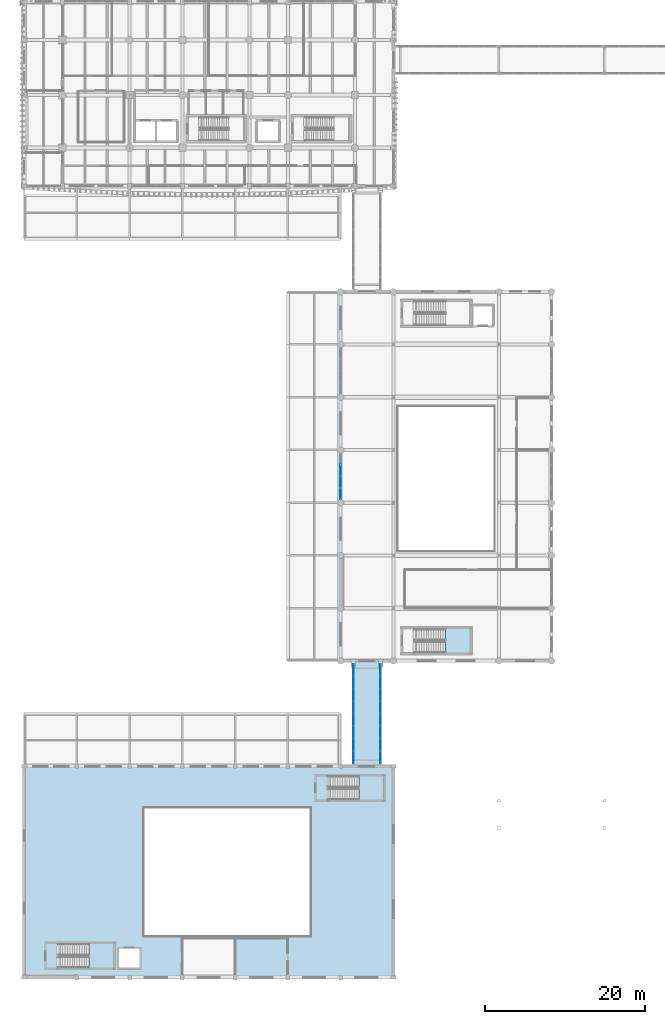
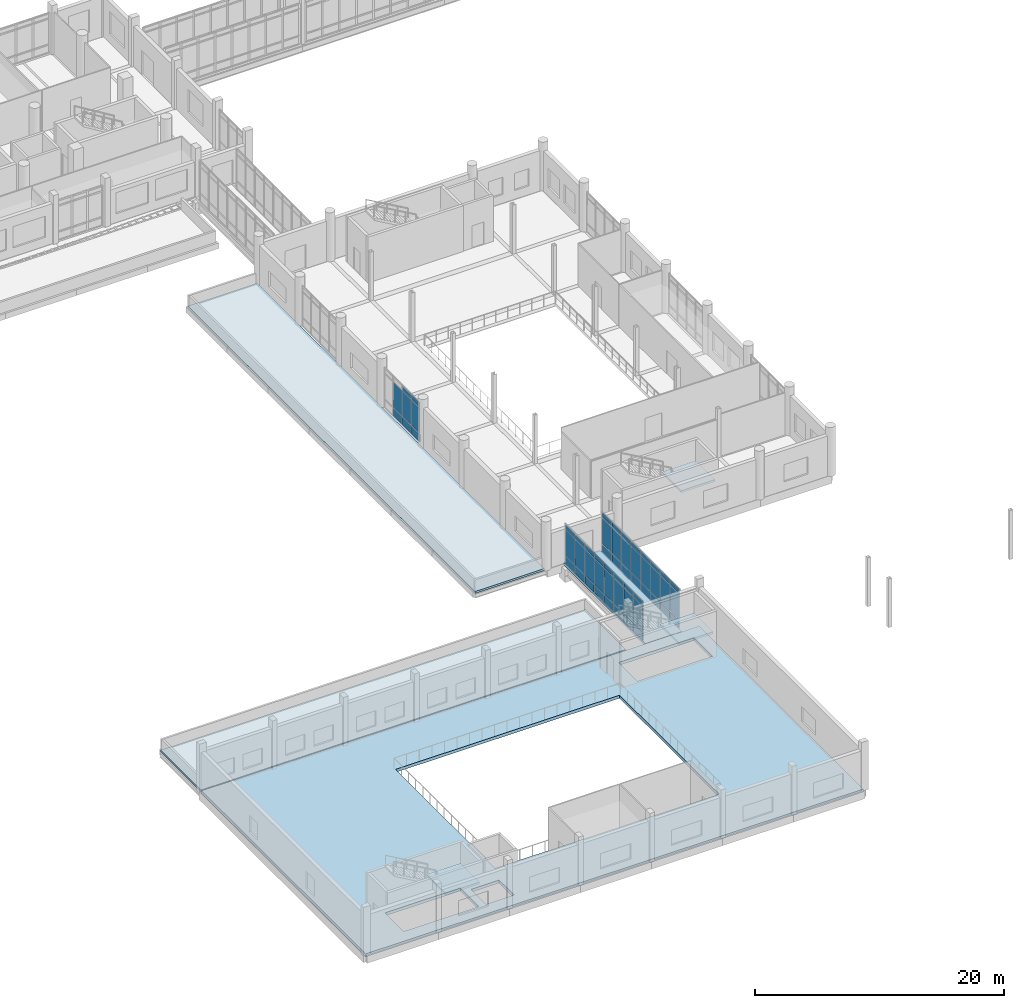
# One storey, part 63 of 125: 56 plates, 7 slabs, 6 elements without a shape of their own.
"""IFC4 building model written with IfcOpenShell, lengths in metres."""

from ifc_helpers import new_model, si_unit, direction, frame, origin, origin_2d, place, context, subcontext, project, spatial, polyline, rectangle, outline, extrude, material, layer, layer_set, type_object, element, aggregate, save


model = new_model("IFC4")

# Units and contexts
model_context = context("Model", 3, precision=1e-05, world=origin(), true_north=direction((0.0, 1.0)))
body_context = subcontext(model_context, "Body", "Model", "MODEL_VIEW")
ifc_project = project(units=[si_unit("LENGTHUNIT", "METRE"), si_unit("AREAUNIT", "SQUARE_METRE"), si_unit("VOLUMEUNIT", "CUBIC_METRE"), si_unit("PLANEANGLEUNIT", "RADIAN"), si_unit("MASSUNIT", "GRAM", prefix="KILO")], contexts=[model_context])

# Site, building, storey
site_placement = place(None, origin())
site = spatial("IfcSite", under=ifc_project, at=site_placement, CompositionType="ELEMENT")
building_placement = place(site_placement, origin())
building = spatial("IfcBuilding", under=site, at=building_placement, Name="Dornvale Research Institute", CompositionType="ELEMENT")
storey_placement = place(building_placement, frame((0.0, 0.0, 5.39990234375)))
storey = spatial("IfcBuildingStorey", under=building, at=storey_placement, Name="L01", CompositionType="ELEMENT", Elevation=5.39990234375)

# Curtain wall, plates
ifc_material_1 = material(Name="Low-E Argon Double Insulating Glazing Unit", Category="glass")
curtain_wall_type_1 = type_object("IfcCurtainWallType", Name="UnitisedCurtainWall_V2_5810x3950", PredefinedType="USERDEFINED", material=ifc_material_1)
curtain_wall_1_placement = place(storey_placement, origin())
curtain_wall_1 = element("IfcCurtainWall", 1, at=curtain_wall_1_placement, inside=storey, type_object=curtain_wall_type_1, Name="L01 V2 unitised curtain wall CW-02 #5", ObjectType="UNITISED CURTAIN WALL", PredefinedType="USERDEFINED")
ifc_material_2 = material(Name="Insulated Ceramic-Frit Spandrel Glass Panel", Category="glass")
ifc_layer_1 = layer(ifc_material_2, 0.0419921875)
ifc_layer_set_1 = layer_set([ifc_layer_1], Name="Insulated Ceramic-Frit Spandrel Glass Panel")
plate_type_1 = type_object("IfcPlateType", Name="CurtainPanel_Spandrel_42", PredefinedType="CURTAIN_PANEL", material=ifc_layer_set_1)
plate_1_placement = place(storey_placement, frame((39.60009765625, 60.53759765625, 0.065185546875), z_axis=(0.0, 0.0, 1.0), x_axis=(0.0, 1.0, 0.0)))
plate_1 = element("IfcPlate", 2, at=plate_1_placement, type_object=plate_type_1, Name="CW-02 panel 1.1", PredefinedType="CURTAIN_PANEL", context=body_context, shape_type="SweptSolid", body=[
    extrude(rectangle(XDim=1.35498046875, YDim=0.0419921875, at=origin_2d()), origin(), (0.0, 0.0, 1.0), 0.75244140625),
])
plate_2_placement = place(storey_placement, frame((39.60009765625, 61.9736328125, 0.065185546875), z_axis=(0.0, 0.0, 1.0), x_axis=(0.0, 1.0, 0.0)))
plate_2 = element("IfcPlate", 3, at=plate_2_placement, type_object=plate_type_1, Name="CW-02 panel 2.1", PredefinedType="CURTAIN_PANEL", context=body_context, shape_type="SweptSolid", body=[
    extrude(rectangle(XDim=1.387451171875, YDim=0.0419921875, at=origin_2d()), origin(), (0.0, 0.0, 1.0), 0.75244140625),
])
plate_3_placement = place(storey_placement, frame((39.60009765625, 63.42626953125, 0.065185546875), z_axis=(0.0, 0.0, 1.0), x_axis=(0.0, 1.0, 0.0)))
plate_3 = element("IfcPlate", 4, at=plate_3_placement, type_object=plate_type_1, Name="CW-02 panel 3.1", PredefinedType="CURTAIN_PANEL", context=body_context, shape_type="SweptSolid", body=[
    extrude(rectangle(XDim=1.387451171875, YDim=0.0419921875, at=origin_2d()), origin(), (0.0, 0.0, 1.0), 0.75244140625),
])

ifc_material_3 = material(Name="Low-E Argon Double Insulating Glazing Unit", Category="glass")
curtain_wall_type_2 = type_object("IfcCurtainWallType", Name="UnitisedCurtainWall_V2_12500x4000", PredefinedType="USERDEFINED", material=ifc_material_3)
curtain_wall_2_placement = place(storey_placement, origin())
curtain_wall_2 = element("IfcCurtainWall", 5, at=curtain_wall_2_placement, inside=storey, type_object=curtain_wall_type_2, Name="L01 V2 unitised curtain wall CW-39 #203", ObjectType="UNITISED CURTAIN WALL", PredefinedType="USERDEFINED")
plate_4_placement = place(storey_placement, frame((41.199951171875, 27.547607421875, 0.065185546875), z_axis=(0.0, 0.0, 1.0), x_axis=(0.0, 1.0, 0.0)))
plate_4 = element("IfcPlate", 6, at=plate_4_placement, type_object=plate_type_1, Name="CW-39 panel 1.1", PredefinedType="CURTAIN_PANEL", context=body_context, shape_type="SweptSolid", body=[
    extrude(rectangle(XDim=1.465087890625, YDim=0.0419921875, at=origin_2d()), origin(), (0.0, 0.0, 1.0), 0.75244140625),
])
plate_5_placement = place(storey_placement, frame((41.199951171875, 29.09375, 0.065185546875), z_axis=(0.0, 0.0, 1.0), x_axis=(0.0, 1.0, 0.0)))
plate_5 = element("IfcPlate", 7, at=plate_5_placement, type_object=plate_type_1, Name="CW-39 panel 2.1", PredefinedType="CURTAIN_PANEL", context=body_context, shape_type="SweptSolid", body=[
    extrude(rectangle(XDim=1.49755859375, YDim=0.0419921875, at=origin_2d()), origin(), (0.0, 0.0, 1.0), 0.75244140625),
])
plate_6_placement = place(storey_placement, frame((41.199951171875, 30.65625, 0.065185546875), z_axis=(0.0, 0.0, 1.0), x_axis=(0.0, 1.0, 0.0)))
plate_6 = element("IfcPlate", 8, at=plate_6_placement, type_object=plate_type_1, Name="CW-39 panel 3.1", PredefinedType="CURTAIN_PANEL", context=body_context, shape_type="SweptSolid", body=[
    extrude(rectangle(XDim=1.49755859375, YDim=0.0419921875, at=origin_2d()), origin(), (0.0, 0.0, 1.0), 0.75244140625),
])
plate_7_placement = place(storey_placement, frame((41.199951171875, 32.21875, 0.065185546875), z_axis=(0.0, 0.0, 1.0), x_axis=(0.0, 1.0, 0.0)))
plate_7 = element("IfcPlate", 9, at=plate_7_placement, type_object=plate_type_1, Name="CW-39 panel 4.1", PredefinedType="CURTAIN_PANEL", context=body_context, shape_type="SweptSolid", body=[
    extrude(rectangle(XDim=1.49755859375, YDim=0.0419921875, at=origin_2d()), origin(), (0.0, 0.0, 1.0), 0.75244140625),
])
plate_8_placement = place(storey_placement, frame((41.199951171875, 33.78125, 0.065185546875), z_axis=(0.0, 0.0, 1.0), x_axis=(0.0, 1.0, 0.0)))
plate_8 = element("IfcPlate", 10, at=plate_8_placement, type_object=plate_type_1, Name="CW-39 panel 5.1", PredefinedType="CURTAIN_PANEL", context=body_context, shape_type="SweptSolid", body=[
    extrude(rectangle(XDim=1.49755859375, YDim=0.0419921875, at=origin_2d()), origin(), (0.0, 0.0, 1.0), 0.75244140625),
])
plate_9_placement = place(storey_placement, frame((41.199951171875, 35.34375, 0.065185546875), z_axis=(0.0, 0.0, 1.0), x_axis=(0.0, 1.0, 0.0)))
plate_9 = element("IfcPlate", 11, at=plate_9_placement, type_object=plate_type_1, Name="CW-39 panel 6.1", PredefinedType="CURTAIN_PANEL", context=body_context, shape_type="SweptSolid", body=[
    extrude(rectangle(XDim=1.49755859375, YDim=0.0419921875, at=origin_2d()), origin(), (0.0, 0.0, 1.0), 0.75244140625),
])
plate_10_placement = place(storey_placement, frame((41.199951171875, 36.90625, 0.065185546875), z_axis=(0.0, 0.0, 1.0), x_axis=(0.0, 1.0, 0.0)))
plate_10 = element("IfcPlate", 12, at=plate_10_placement, type_object=plate_type_1, Name="CW-39 panel 7.1", PredefinedType="CURTAIN_PANEL", context=body_context, shape_type="SweptSolid", body=[
    extrude(rectangle(XDim=1.49755859375, YDim=0.0419921875, at=origin_2d()), origin(), (0.0, 0.0, 1.0), 0.75244140625),
])
plate_11_placement = place(storey_placement, frame((41.199951171875, 38.452392578125, 0.065185546875), z_axis=(0.0, 0.0, 1.0), x_axis=(0.0, 1.0, 0.0)))
plate_11 = element("IfcPlate", 13, at=plate_11_placement, type_object=plate_type_1, Name="CW-39 panel 8.1", PredefinedType="CURTAIN_PANEL", context=body_context, shape_type="SweptSolid", body=[
    extrude(rectangle(XDim=1.465087890625, YDim=0.0419921875, at=origin_2d()), origin(), (0.0, 0.0, 1.0), 0.75244140625),
])

curtain_wall_3_placement = place(storey_placement, origin())
curtain_wall_3 = element("IfcCurtainWall", 14, at=curtain_wall_3_placement, inside=storey, type_object=curtain_wall_type_2, Name="L01 V2 unitised curtain wall CW-39 #204", ObjectType="UNITISED CURTAIN WALL", PredefinedType="USERDEFINED")
plate_12_placement = place(storey_placement, frame((44.60009765625, 38.452392578125, 0.065185546875), z_axis=(0.0, 0.0, 1.0), x_axis=(0.0, -1.0, 0.0)))
plate_12 = element("IfcPlate", 15, at=plate_12_placement, type_object=plate_type_1, Name="CW-39 panel 1.1", PredefinedType="CURTAIN_PANEL", context=body_context, shape_type="SweptSolid", body=[
    extrude(rectangle(XDim=1.465087890625, YDim=0.0419921875, at=origin_2d()), origin(), (0.0, 0.0, 1.0), 0.75244140625),
])
plate_13_placement = place(storey_placement, frame((44.60009765625, 36.90625, 0.065185546875), z_axis=(0.0, 0.0, 1.0), x_axis=(0.0, -1.0, 0.0)))
plate_13 = element("IfcPlate", 16, at=plate_13_placement, type_object=plate_type_1, Name="CW-39 panel 2.1", PredefinedType="CURTAIN_PANEL", context=body_context, shape_type="SweptSolid", body=[
    extrude(rectangle(XDim=1.49755859375, YDim=0.0419921875, at=origin_2d()), origin(), (0.0, 0.0, 1.0), 0.75244140625),
])
plate_14_placement = place(storey_placement, frame((44.60009765625, 35.34375, 0.065185546875), z_axis=(0.0, 0.0, 1.0), x_axis=(0.0, -1.0, 0.0)))
plate_14 = element("IfcPlate", 17, at=plate_14_placement, type_object=plate_type_1, Name="CW-39 panel 3.1", PredefinedType="CURTAIN_PANEL", context=body_context, shape_type="SweptSolid", body=[
    extrude(rectangle(XDim=1.49755859375, YDim=0.0419921875, at=origin_2d()), origin(), (0.0, 0.0, 1.0), 0.75244140625),
])
plate_15_placement = place(storey_placement, frame((44.60009765625, 33.78125, 0.065185546875), z_axis=(0.0, 0.0, 1.0), x_axis=(0.0, -1.0, 0.0)))
plate_15 = element("IfcPlate", 18, at=plate_15_placement, type_object=plate_type_1, Name="CW-39 panel 4.1", PredefinedType="CURTAIN_PANEL", context=body_context, shape_type="SweptSolid", body=[
    extrude(rectangle(XDim=1.49755859375, YDim=0.0419921875, at=origin_2d()), origin(), (0.0, 0.0, 1.0), 0.75244140625),
])
plate_16_placement = place(storey_placement, frame((44.60009765625, 32.21875, 0.065185546875), z_axis=(0.0, 0.0, 1.0), x_axis=(0.0, -1.0, 0.0)))
plate_16 = element("IfcPlate", 19, at=plate_16_placement, type_object=plate_type_1, Name="CW-39 panel 5.1", PredefinedType="CURTAIN_PANEL", context=body_context, shape_type="SweptSolid", body=[
    extrude(rectangle(XDim=1.49755859375, YDim=0.0419921875, at=origin_2d()), origin(), (0.0, 0.0, 1.0), 0.75244140625),
])
plate_17_placement = place(storey_placement, frame((44.60009765625, 30.65625, 0.065185546875), z_axis=(0.0, 0.0, 1.0), x_axis=(0.0, -1.0, 0.0)))
plate_17 = element("IfcPlate", 20, at=plate_17_placement, type_object=plate_type_1, Name="CW-39 panel 6.1", PredefinedType="CURTAIN_PANEL", context=body_context, shape_type="SweptSolid", body=[
    extrude(rectangle(XDim=1.49755859375, YDim=0.0419921875, at=origin_2d()), origin(), (0.0, 0.0, 1.0), 0.75244140625),
])
plate_18_placement = place(storey_placement, frame((44.60009765625, 29.09375, 0.065185546875), z_axis=(0.0, 0.0, 1.0), x_axis=(0.0, -1.0, 0.0)))
plate_18 = element("IfcPlate", 21, at=plate_18_placement, type_object=plate_type_1, Name="CW-39 panel 7.1", PredefinedType="CURTAIN_PANEL", context=body_context, shape_type="SweptSolid", body=[
    extrude(rectangle(XDim=1.49755859375, YDim=0.0419921875, at=origin_2d()), origin(), (0.0, 0.0, 1.0), 0.75244140625),
])
plate_19_placement = place(storey_placement, frame((44.60009765625, 27.547607421875, 0.065185546875), z_axis=(0.0, 0.0, 1.0), x_axis=(0.0, -1.0, 0.0)))
plate_19 = element("IfcPlate", 22, at=plate_19_placement, type_object=plate_type_1, Name="CW-39 panel 8.1", PredefinedType="CURTAIN_PANEL", context=body_context, shape_type="SweptSolid", body=[
    extrude(rectangle(XDim=1.465087890625, YDim=0.0419921875, at=origin_2d()), origin(), (0.0, 0.0, 1.0), 0.75244140625),
])

# Plate
ifc_material_4 = material(Name="Low-E Argon Double Insulating Glazing Unit", Category="glass")
ifc_layer_2 = layer(ifc_material_4, 0.028076171875)
ifc_layer_set_2 = layer_set([ifc_layer_2], Name="Low-E Argon Double Insulating Glazing Unit")
plate_type_2 = type_object("IfcPlateType", Name="CurtainPanel_Vision_28", PredefinedType="CURTAIN_PANEL", material=ifc_layer_set_2)
plate_20_placement = place(storey_placement, frame((39.60009765625, 60.53759765625, 0.88232421875), z_axis=(0.0, 0.0, 1.0), x_axis=(0.0, 1.0, 0.0)))
plate_20 = element("IfcPlate", 23, at=plate_20_placement, type_object=plate_type_2, Name="CW-02 panel 1.2", PredefinedType="CURTAIN_PANEL", context=body_context, shape_type="SweptSolid", body=[
    extrude(rectangle(XDim=1.35498046875, YDim=0.028076171875, at=origin_2d()), origin(), (0.0, 0.0, 1.0), 2.485107421875),
])

plate_21_placement = place(storey_placement, frame((39.60009765625, 60.53759765625, 3.4326171875), z_axis=(0.0, 0.0, 1.0), x_axis=(0.0, 1.0, 0.0)))
plate_21 = element("IfcPlate", 24, at=plate_21_placement, type_object=plate_type_2, Name="CW-02 panel 1.3", PredefinedType="CURTAIN_PANEL", context=body_context, shape_type="SweptSolid", body=[
    extrude(rectangle(XDim=1.35498046875, YDim=0.028076171875, at=origin_2d()), origin(), (0.0, 0.0, 1.0), 0.452392578125),
])

plate_22_placement = place(storey_placement, frame((39.60009765625, 61.9736328125, 0.88232421875), z_axis=(0.0, 0.0, 1.0), x_axis=(0.0, 1.0, 0.0)))
plate_22 = element("IfcPlate", 25, at=plate_22_placement, type_object=plate_type_2, Name="CW-02 panel 2.2", PredefinedType="CURTAIN_PANEL", context=body_context, shape_type="SweptSolid", body=[
    extrude(rectangle(XDim=1.387451171875, YDim=0.028076171875, at=origin_2d()), origin(), (0.0, 0.0, 1.0), 2.485107421875),
])

plate_23_placement = place(storey_placement, frame((39.60009765625, 61.9736328125, 3.4326171875), z_axis=(0.0, 0.0, 1.0), x_axis=(0.0, 1.0, 0.0)))
plate_23 = element("IfcPlate", 26, at=plate_23_placement, type_object=plate_type_2, Name="CW-02 panel 2.3", PredefinedType="CURTAIN_PANEL", context=body_context, shape_type="SweptSolid", body=[
    extrude(rectangle(XDim=1.387451171875, YDim=0.028076171875, at=origin_2d()), origin(), (0.0, 0.0, 1.0), 0.452392578125),
])

plate_24_placement = place(storey_placement, frame((39.60009765625, 63.42626953125, 0.88232421875), z_axis=(0.0, 0.0, 1.0), x_axis=(0.0, 1.0, 0.0)))
plate_24 = element("IfcPlate", 27, at=plate_24_placement, type_object=plate_type_2, Name="CW-02 panel 3.2", PredefinedType="CURTAIN_PANEL", context=body_context, shape_type="SweptSolid", body=[
    extrude(rectangle(XDim=1.387451171875, YDim=0.028076171875, at=origin_2d()), origin(), (0.0, 0.0, 1.0), 2.485107421875),
])

aggregate(curtain_wall_1, [plate_1, plate_20, plate_21, plate_2, plate_22, plate_23, plate_3, plate_24])

plate_25_placement = place(storey_placement, frame((41.199951171875, 27.547607421875, 0.8828125), z_axis=(0.0, 0.0, 1.0), x_axis=(0.0, 1.0, 0.0)))
plate_25 = element("IfcPlate", 28, at=plate_25_placement, type_object=plate_type_2, Name="CW-39 panel 1.2", PredefinedType="CURTAIN_PANEL", context=body_context, shape_type="SweptSolid", body=[
    extrude(rectangle(XDim=1.465087890625, YDim=0.028076171875, at=origin_2d()), origin(), (0.0, 0.0, 1.0), 2.534912109375),
])

plate_26_placement = place(storey_placement, frame((41.199951171875, 27.547607421875, 3.482421875), z_axis=(0.0, 0.0, 1.0), x_axis=(0.0, 1.0, 0.0)))
plate_26 = element("IfcPlate", 29, at=plate_26_placement, type_object=plate_type_2, Name="CW-39 panel 1.3", PredefinedType="CURTAIN_PANEL", context=body_context, shape_type="SweptSolid", body=[
    extrude(rectangle(XDim=1.465087890625, YDim=0.028076171875, at=origin_2d()), origin(), (0.0, 0.0, 1.0), 0.452392578125),
])

plate_27_placement = place(storey_placement, frame((41.199951171875, 29.09375, 0.8828125), z_axis=(0.0, 0.0, 1.0), x_axis=(0.0, 1.0, 0.0)))
plate_27 = element("IfcPlate", 30, at=plate_27_placement, type_object=plate_type_2, Name="CW-39 panel 2.2", PredefinedType="CURTAIN_PANEL", context=body_context, shape_type="SweptSolid", body=[
    extrude(rectangle(XDim=1.49755859375, YDim=0.028076171875, at=origin_2d()), origin(), (0.0, 0.0, 1.0), 2.534912109375),
])

plate_28_placement = place(storey_placement, frame((41.199951171875, 29.09375, 3.482421875), z_axis=(0.0, 0.0, 1.0), x_axis=(0.0, 1.0, 0.0)))
plate_28 = element("IfcPlate", 31, at=plate_28_placement, type_object=plate_type_2, Name="CW-39 panel 2.3", PredefinedType="CURTAIN_PANEL", context=body_context, shape_type="SweptSolid", body=[
    extrude(rectangle(XDim=1.49755859375, YDim=0.028076171875, at=origin_2d()), origin(), (0.0, 0.0, 1.0), 0.452392578125),
])

plate_29_placement = place(storey_placement, frame((41.199951171875, 30.65625, 0.8828125), z_axis=(0.0, 0.0, 1.0), x_axis=(0.0, 1.0, 0.0)))
plate_29 = element("IfcPlate", 32, at=plate_29_placement, type_object=plate_type_2, Name="CW-39 panel 3.2", PredefinedType="CURTAIN_PANEL", context=body_context, shape_type="SweptSolid", body=[
    extrude(rectangle(XDim=1.49755859375, YDim=0.028076171875, at=origin_2d()), origin(), (0.0, 0.0, 1.0), 2.534912109375),
])

plate_30_placement = place(storey_placement, frame((41.199951171875, 30.65625, 3.482421875), z_axis=(0.0, 0.0, 1.0), x_axis=(0.0, 1.0, 0.0)))
plate_30 = element("IfcPlate", 33, at=plate_30_placement, type_object=plate_type_2, Name="CW-39 panel 3.3", PredefinedType="CURTAIN_PANEL", context=body_context, shape_type="SweptSolid", body=[
    extrude(rectangle(XDim=1.49755859375, YDim=0.028076171875, at=origin_2d()), origin(), (0.0, 0.0, 1.0), 0.452392578125),
])

plate_31_placement = place(storey_placement, frame((41.199951171875, 32.21875, 0.8828125), z_axis=(0.0, 0.0, 1.0), x_axis=(0.0, 1.0, 0.0)))
plate_31 = element("IfcPlate", 34, at=plate_31_placement, type_object=plate_type_2, Name="CW-39 panel 4.2", PredefinedType="CURTAIN_PANEL", context=body_context, shape_type="SweptSolid", body=[
    extrude(rectangle(XDim=1.49755859375, YDim=0.028076171875, at=origin_2d()), origin(), (0.0, 0.0, 1.0), 2.534912109375),
])

plate_32_placement = place(storey_placement, frame((41.199951171875, 32.21875, 3.482421875), z_axis=(0.0, 0.0, 1.0), x_axis=(0.0, 1.0, 0.0)))
plate_32 = element("IfcPlate", 35, at=plate_32_placement, type_object=plate_type_2, Name="CW-39 panel 4.3", PredefinedType="CURTAIN_PANEL", context=body_context, shape_type="SweptSolid", body=[
    extrude(rectangle(XDim=1.49755859375, YDim=0.028076171875, at=origin_2d()), origin(), (0.0, 0.0, 1.0), 0.452392578125),
])

plate_33_placement = place(storey_placement, frame((41.199951171875, 33.78125, 0.8828125), z_axis=(0.0, 0.0, 1.0), x_axis=(0.0, 1.0, 0.0)))
plate_33 = element("IfcPlate", 36, at=plate_33_placement, type_object=plate_type_2, Name="CW-39 panel 5.2", PredefinedType="CURTAIN_PANEL", context=body_context, shape_type="SweptSolid", body=[
    extrude(rectangle(XDim=1.49755859375, YDim=0.028076171875, at=origin_2d()), origin(), (0.0, 0.0, 1.0), 2.534912109375),
])

plate_34_placement = place(storey_placement, frame((41.199951171875, 33.78125, 3.482421875), z_axis=(0.0, 0.0, 1.0), x_axis=(0.0, 1.0, 0.0)))
plate_34 = element("IfcPlate", 37, at=plate_34_placement, type_object=plate_type_2, Name="CW-39 panel 5.3", PredefinedType="CURTAIN_PANEL", context=body_context, shape_type="SweptSolid", body=[
    extrude(rectangle(XDim=1.49755859375, YDim=0.028076171875, at=origin_2d()), origin(), (0.0, 0.0, 1.0), 0.452392578125),
])

plate_35_placement = place(storey_placement, frame((41.199951171875, 35.34375, 0.8828125), z_axis=(0.0, 0.0, 1.0), x_axis=(0.0, 1.0, 0.0)))
plate_35 = element("IfcPlate", 38, at=plate_35_placement, type_object=plate_type_2, Name="CW-39 panel 6.2", PredefinedType="CURTAIN_PANEL", context=body_context, shape_type="SweptSolid", body=[
    extrude(rectangle(XDim=1.49755859375, YDim=0.028076171875, at=origin_2d()), origin(), (0.0, 0.0, 1.0), 2.534912109375),
])

plate_36_placement = place(storey_placement, frame((41.199951171875, 35.34375, 3.482421875), z_axis=(0.0, 0.0, 1.0), x_axis=(0.0, 1.0, 0.0)))
plate_36 = element("IfcPlate", 39, at=plate_36_placement, type_object=plate_type_2, Name="CW-39 panel 6.3", PredefinedType="CURTAIN_PANEL", context=body_context, shape_type="SweptSolid", body=[
    extrude(rectangle(XDim=1.49755859375, YDim=0.028076171875, at=origin_2d()), origin(), (0.0, 0.0, 1.0), 0.452392578125),
])

plate_37_placement = place(storey_placement, frame((41.199951171875, 36.90625, 0.8828125), z_axis=(0.0, 0.0, 1.0), x_axis=(0.0, 1.0, 0.0)))
plate_37 = element("IfcPlate", 40, at=plate_37_placement, type_object=plate_type_2, Name="CW-39 panel 7.2", PredefinedType="CURTAIN_PANEL", context=body_context, shape_type="SweptSolid", body=[
    extrude(rectangle(XDim=1.49755859375, YDim=0.028076171875, at=origin_2d()), origin(), (0.0, 0.0, 1.0), 2.534912109375),
])

plate_38_placement = place(storey_placement, frame((41.199951171875, 36.90625, 3.482421875), z_axis=(0.0, 0.0, 1.0), x_axis=(0.0, 1.0, 0.0)))
plate_38 = element("IfcPlate", 41, at=plate_38_placement, type_object=plate_type_2, Name="CW-39 panel 7.3", PredefinedType="CURTAIN_PANEL", context=body_context, shape_type="SweptSolid", body=[
    extrude(rectangle(XDim=1.49755859375, YDim=0.028076171875, at=origin_2d()), origin(), (0.0, 0.0, 1.0), 0.452392578125),
])

plate_39_placement = place(storey_placement, frame((41.199951171875, 38.452392578125, 0.8828125), z_axis=(0.0, 0.0, 1.0), x_axis=(0.0, 1.0, 0.0)))
plate_39 = element("IfcPlate", 42, at=plate_39_placement, type_object=plate_type_2, Name="CW-39 panel 8.2", PredefinedType="CURTAIN_PANEL", context=body_context, shape_type="SweptSolid", body=[
    extrude(rectangle(XDim=1.465087890625, YDim=0.028076171875, at=origin_2d()), origin(), (0.0, 0.0, 1.0), 2.534912109375),
])

plate_40_placement = place(storey_placement, frame((41.199951171875, 38.452392578125, 3.482421875), z_axis=(0.0, 0.0, 1.0), x_axis=(0.0, 1.0, 0.0)))
plate_40 = element("IfcPlate", 43, at=plate_40_placement, type_object=plate_type_2, Name="CW-39 panel 8.3", PredefinedType="CURTAIN_PANEL", context=body_context, shape_type="SweptSolid", body=[
    extrude(rectangle(XDim=1.465087890625, YDim=0.028076171875, at=origin_2d()), origin(), (0.0, 0.0, 1.0), 0.452392578125),
])

aggregate(curtain_wall_2, [plate_4, plate_25, plate_26, plate_5, plate_27, plate_28, plate_6, plate_29, plate_30, plate_7, plate_31, plate_32, plate_8, plate_33, plate_34, plate_9, plate_35, plate_36, plate_10, plate_37, plate_38, plate_11, plate_39, plate_40])

plate_41_placement = place(storey_placement, frame((44.60009765625, 38.452392578125, 0.8828125), z_axis=(0.0, 0.0, 1.0), x_axis=(0.0, -1.0, 0.0)))
plate_41 = element("IfcPlate", 44, at=plate_41_placement, type_object=plate_type_2, Name="CW-39 panel 1.2", PredefinedType="CURTAIN_PANEL", context=body_context, shape_type="SweptSolid", body=[
    extrude(rectangle(XDim=1.465087890625, YDim=0.028076171875, at=origin_2d()), origin(), (0.0, 0.0, 1.0), 2.534912109375),
])

plate_42_placement = place(storey_placement, frame((44.60009765625, 38.452392578125, 3.482421875), z_axis=(0.0, 0.0, 1.0), x_axis=(0.0, -1.0, 0.0)))
plate_42 = element("IfcPlate", 45, at=plate_42_placement, type_object=plate_type_2, Name="CW-39 panel 1.3", PredefinedType="CURTAIN_PANEL", context=body_context, shape_type="SweptSolid", body=[
    extrude(rectangle(XDim=1.465087890625, YDim=0.028076171875, at=origin_2d()), origin(), (0.0, 0.0, 1.0), 0.452392578125),
])

plate_43_placement = place(storey_placement, frame((44.60009765625, 36.90625, 0.8828125), z_axis=(0.0, 0.0, 1.0), x_axis=(0.0, -1.0, 0.0)))
plate_43 = element("IfcPlate", 46, at=plate_43_placement, type_object=plate_type_2, Name="CW-39 panel 2.2", PredefinedType="CURTAIN_PANEL", context=body_context, shape_type="SweptSolid", body=[
    extrude(rectangle(XDim=1.49755859375, YDim=0.028076171875, at=origin_2d()), origin(), (0.0, 0.0, 1.0), 2.534912109375),
])

plate_44_placement = place(storey_placement, frame((44.60009765625, 36.90625, 3.482421875), z_axis=(0.0, 0.0, 1.0), x_axis=(0.0, -1.0, 0.0)))
plate_44 = element("IfcPlate", 47, at=plate_44_placement, type_object=plate_type_2, Name="CW-39 panel 2.3", PredefinedType="CURTAIN_PANEL", context=body_context, shape_type="SweptSolid", body=[
    extrude(rectangle(XDim=1.49755859375, YDim=0.028076171875, at=origin_2d()), origin(), (0.0, 0.0, 1.0), 0.452392578125),
])

plate_45_placement = place(storey_placement, frame((44.60009765625, 35.34375, 0.8828125), z_axis=(0.0, 0.0, 1.0), x_axis=(0.0, -1.0, 0.0)))
plate_45 = element("IfcPlate", 48, at=plate_45_placement, type_object=plate_type_2, Name="CW-39 panel 3.2", PredefinedType="CURTAIN_PANEL", context=body_context, shape_type="SweptSolid", body=[
    extrude(rectangle(XDim=1.49755859375, YDim=0.028076171875, at=origin_2d()), origin(), (0.0, 0.0, 1.0), 2.534912109375),
])

plate_46_placement = place(storey_placement, frame((44.60009765625, 35.34375, 3.482421875), z_axis=(0.0, 0.0, 1.0), x_axis=(0.0, -1.0, 0.0)))
plate_46 = element("IfcPlate", 49, at=plate_46_placement, type_object=plate_type_2, Name="CW-39 panel 3.3", PredefinedType="CURTAIN_PANEL", context=body_context, shape_type="SweptSolid", body=[
    extrude(rectangle(XDim=1.49755859375, YDim=0.028076171875, at=origin_2d()), origin(), (0.0, 0.0, 1.0), 0.452392578125),
])

plate_47_placement = place(storey_placement, frame((44.60009765625, 33.78125, 0.8828125), z_axis=(0.0, 0.0, 1.0), x_axis=(0.0, -1.0, 0.0)))
plate_47 = element("IfcPlate", 50, at=plate_47_placement, type_object=plate_type_2, Name="CW-39 panel 4.2", PredefinedType="CURTAIN_PANEL", context=body_context, shape_type="SweptSolid", body=[
    extrude(rectangle(XDim=1.49755859375, YDim=0.028076171875, at=origin_2d()), origin(), (0.0, 0.0, 1.0), 2.534912109375),
])

plate_48_placement = place(storey_placement, frame((44.60009765625, 33.78125, 3.482421875), z_axis=(0.0, 0.0, 1.0), x_axis=(0.0, -1.0, 0.0)))
plate_48 = element("IfcPlate", 51, at=plate_48_placement, type_object=plate_type_2, Name="CW-39 panel 4.3", PredefinedType="CURTAIN_PANEL", context=body_context, shape_type="SweptSolid", body=[
    extrude(rectangle(XDim=1.49755859375, YDim=0.028076171875, at=origin_2d()), origin(), (0.0, 0.0, 1.0), 0.452392578125),
])

plate_49_placement = place(storey_placement, frame((44.60009765625, 32.21875, 0.8828125), z_axis=(0.0, 0.0, 1.0), x_axis=(0.0, -1.0, 0.0)))
plate_49 = element("IfcPlate", 52, at=plate_49_placement, type_object=plate_type_2, Name="CW-39 panel 5.2", PredefinedType="CURTAIN_PANEL", context=body_context, shape_type="SweptSolid", body=[
    extrude(rectangle(XDim=1.49755859375, YDim=0.028076171875, at=origin_2d()), origin(), (0.0, 0.0, 1.0), 2.534912109375),
])

plate_50_placement = place(storey_placement, frame((44.60009765625, 32.21875, 3.482421875), z_axis=(0.0, 0.0, 1.0), x_axis=(0.0, -1.0, 0.0)))
plate_50 = element("IfcPlate", 53, at=plate_50_placement, type_object=plate_type_2, Name="CW-39 panel 5.3", PredefinedType="CURTAIN_PANEL", context=body_context, shape_type="SweptSolid", body=[
    extrude(rectangle(XDim=1.49755859375, YDim=0.028076171875, at=origin_2d()), origin(), (0.0, 0.0, 1.0), 0.452392578125),
])

plate_51_placement = place(storey_placement, frame((44.60009765625, 30.65625, 0.8828125), z_axis=(0.0, 0.0, 1.0), x_axis=(0.0, -1.0, 0.0)))
plate_51 = element("IfcPlate", 54, at=plate_51_placement, type_object=plate_type_2, Name="CW-39 panel 6.2", PredefinedType="CURTAIN_PANEL", context=body_context, shape_type="SweptSolid", body=[
    extrude(rectangle(XDim=1.49755859375, YDim=0.028076171875, at=origin_2d()), origin(), (0.0, 0.0, 1.0), 2.534912109375),
])

plate_52_placement = place(storey_placement, frame((44.60009765625, 30.65625, 3.482421875), z_axis=(0.0, 0.0, 1.0), x_axis=(0.0, -1.0, 0.0)))
plate_52 = element("IfcPlate", 55, at=plate_52_placement, type_object=plate_type_2, Name="CW-39 panel 6.3", PredefinedType="CURTAIN_PANEL", context=body_context, shape_type="SweptSolid", body=[
    extrude(rectangle(XDim=1.49755859375, YDim=0.028076171875, at=origin_2d()), origin(), (0.0, 0.0, 1.0), 0.452392578125),
])

plate_53_placement = place(storey_placement, frame((44.60009765625, 29.09375, 0.8828125), z_axis=(0.0, 0.0, 1.0), x_axis=(0.0, -1.0, 0.0)))
plate_53 = element("IfcPlate", 56, at=plate_53_placement, type_object=plate_type_2, Name="CW-39 panel 7.2", PredefinedType="CURTAIN_PANEL", context=body_context, shape_type="SweptSolid", body=[
    extrude(rectangle(XDim=1.49755859375, YDim=0.028076171875, at=origin_2d()), origin(), (0.0, 0.0, 1.0), 2.534912109375),
])

plate_54_placement = place(storey_placement, frame((44.60009765625, 29.09375, 3.482421875), z_axis=(0.0, 0.0, 1.0), x_axis=(0.0, -1.0, 0.0)))
plate_54 = element("IfcPlate", 57, at=plate_54_placement, type_object=plate_type_2, Name="CW-39 panel 7.3", PredefinedType="CURTAIN_PANEL", context=body_context, shape_type="SweptSolid", body=[
    extrude(rectangle(XDim=1.49755859375, YDim=0.028076171875, at=origin_2d()), origin(), (0.0, 0.0, 1.0), 0.452392578125),
])

plate_55_placement = place(storey_placement, frame((44.60009765625, 27.547607421875, 0.8828125), z_axis=(0.0, 0.0, 1.0), x_axis=(0.0, -1.0, 0.0)))
plate_55 = element("IfcPlate", 58, at=plate_55_placement, type_object=plate_type_2, Name="CW-39 panel 8.2", PredefinedType="CURTAIN_PANEL", context=body_context, shape_type="SweptSolid", body=[
    extrude(rectangle(XDim=1.465087890625, YDim=0.028076171875, at=origin_2d()), origin(), (0.0, 0.0, 1.0), 2.534912109375),
])

plate_56_placement = place(storey_placement, frame((44.60009765625, 27.547607421875, 3.482421875), z_axis=(0.0, 0.0, 1.0), x_axis=(0.0, -1.0, 0.0)))
plate_56 = element("IfcPlate", 59, at=plate_56_placement, type_object=plate_type_2, Name="CW-39 panel 8.3", PredefinedType="CURTAIN_PANEL", context=body_context, shape_type="SweptSolid", body=[
    extrude(rectangle(XDim=1.465087890625, YDim=0.028076171875, at=origin_2d()), origin(), (0.0, 0.0, 1.0), 0.452392578125),
])

aggregate(curtain_wall_3, [plate_12, plate_41, plate_42, plate_13, plate_43, plate_44, plate_14, plate_45, plate_46, plate_15, plate_47, plate_48, plate_16, plate_49, plate_50, plate_17, plate_51, plate_52, plate_18, plate_53, plate_54, plate_19, plate_55, plate_56])

# Slabs
ifc_material_5 = material(Name="Concrete f'c 45 MPa (C35/45)", Category="concrete")
ifc_layer_3 = layer(ifc_material_5, 0.219970703125)
ifc_layer_set_3 = layer_set([ifc_layer_3], Name="Concrete f'c 45 MPa (C35/45)")
slab_type_1 = type_object("IfcSlabType", Name="FloorSlab_Bridge_220", PredefinedType="FLOOR", material=ifc_layer_set_3)
slab_1_placement = place(storey_placement, frame((0.0, 0.0, -0.219970703125)))
element("IfcSlab", 60, at=slab_1_placement, inside=storey, type_object=slab_type_1, Name="L01 link bridge deck BR-1", PredefinedType="FLOOR", context=body_context, shape_type="SweptSolid", body=[
    extrude(outline(polyline([(41.199951171875, 39.580078125), (44.60009765625, 39.580078125), (44.60009765625, 26.419921875), (41.199951171875, 26.419921875), (41.199951171875, 39.580078125)])), origin(), (0.0, 0.0, 1.0), 0.219970703125),
])
ifc_material_6 = material(Name="Concrete f'c 45 MPa (C35/45)", Category="concrete")
ifc_layer_4 = layer(ifc_material_6, 0.300048828125)
ifc_layer_set_4 = layer_set([ifc_layer_4], Name="Concrete f'c 45 MPa (C35/45)")
slab_type_2 = type_object("IfcSlabType", Name="FloorSlab_DryLab_300", PredefinedType="FLOOR", material=ifc_layer_set_4)
slab_2_placement = place(storey_placement, frame((0.0, 0.0, -0.2998046875)))
element("IfcSlab", 61, at=slab_2_placement, inside=storey, type_object=slab_type_2, Name="L01 V1 structural slab", PredefinedType="FLOOR", context=body_context, shape_type="SweptSolid", body=[
    extrude(outline(polyline([(0.0, 0.0), (46.199951171875, 0.0), (46.199951171875, 26.39990234375), (0.0, 26.39990234375), (0.0, 0.0)]), holes=[polyline([(4.219970703125, 1.199951171875), (11.199951171875, 1.199951171875), (11.199951171875, 4.199951171875), (4.219970703125, 4.199951171875), (4.219970703125, 1.199951171875)]), polyline([(38.02001953125, 22.199951171875), (45.0, 22.199951171875), (45.0, 25.199951171875), (38.02001953125, 25.199951171875), (38.02001953125, 22.199951171875)]), polyline([(11.85009765625, 1.199951171875), (14.449951171875, 1.199951171875), (14.449951171875, 3.60009765625), (11.85009765625, 3.60009765625), (11.85009765625, 1.199951171875)]), polyline([(15.0, 5.199951171875), (35.800048828125, 5.199951171875), (35.800048828125, 21.199951171875), (15.0, 21.199951171875), (15.0, 5.199951171875)])]), origin(), (0.0, 0.0, 1.0), 0.2998046875),
])

# Stair, slab
ifc_material_7 = material(Name="Concrete f'c 45 MPa (C35/45)", Category="concrete")
stair_type = type_object("IfcStairType", Name="HalfTurnStair_RC_Secondary", PredefinedType="HALF_TURN_STAIR", material=ifc_material_7)
stair_1_placement = place(storey_placement, origin())
stair_1 = element("IfcStair", 62, at=stair_1_placement, inside=storey, type_object=stair_type, Name="L01 Exit stair ST-7", PredefinedType="HALF_TURN_STAIR")
ifc_material_8 = material(Name="Concrete f'c 45 MPa (C35/45)", Category="concrete")
ifc_layer_5 = layer(ifc_material_8, 0.199951171875)
ifc_layer_set_5 = layer_set([ifc_layer_5], Name="Concrete f'c 45 MPa (C35/45)")
slab_type_3 = type_object("IfcSlabType", Name="Landing_Stair_200", PredefinedType="LANDING", material=ifc_layer_set_5)
slab_3_placement = place(storey_placement, frame((0.0, 0.0, 2.2001953125)))
slab_3 = element("IfcSlab", 63, at=slab_3_placement, type_object=slab_type_3, Name="ST-7 landing 1", PredefinedType="LANDING", context=body_context, shape_type="SweptSolid", body=[
    extrude(outline(polyline([(52.68994140625, 40.570068359375), (52.68994140625, 43.6298828125), (55.830078125, 43.6298828125), (55.830078125, 40.570068359375), (52.68994140625, 40.570068359375)])), origin(), (0.0, 0.0, 1.0), 0.199951171875),
])
aggregate(stair_1, [slab_3])

stair_2_placement = place(storey_placement, origin())
stair_2 = element("IfcStair", 64, at=stair_2_placement, inside=storey, type_object=stair_type, Name="L01 Exit stair ST-9", PredefinedType="HALF_TURN_STAIR")
slab_4_placement = place(storey_placement, frame((0.0, 0.0, 2.2001953125)))
slab_4 = element("IfcSlab", 65, at=slab_4_placement, type_object=slab_type_3, Name="ST-9 landing 1", PredefinedType="LANDING", context=body_context, shape_type="SweptSolid", body=[
    extrude(outline(polyline([(8.090087890625, 1.169921875), (8.090087890625, 4.22998046875), (11.22998046875, 4.22998046875), (11.22998046875, 1.169921875), (8.090087890625, 1.169921875)])), origin(), (0.0, 0.0, 1.0), 0.199951171875),
])
aggregate(stair_2, [slab_4])

stair_3_placement = place(storey_placement, origin())
stair_3 = element("IfcStair", 66, at=stair_3_placement, inside=storey, type_object=stair_type, Name="L01 Exit stair ST-10", PredefinedType="HALF_TURN_STAIR")
slab_5_placement = place(storey_placement, frame((0.0, 0.0, 2.2001953125)))
slab_5 = element("IfcSlab", 67, at=slab_5_placement, type_object=slab_type_3, Name="ST-10 landing 1", PredefinedType="LANDING", context=body_context, shape_type="SweptSolid", body=[
    extrude(outline(polyline([(41.889892578125, 22.169921875), (41.889892578125, 25.22998046875), (45.030029296875, 25.22998046875), (45.030029296875, 22.169921875), (41.889892578125, 22.169921875)])), origin(), (0.0, 0.0, 1.0), 0.199951171875),
])
aggregate(stair_3, [slab_5])

# Slabs
ifc_material_9 = material(Name="Concrete f'c 45 MPa (C35/45)", Category="concrete")
ifc_layer_6 = layer(ifc_material_9, 0.199951171875)
ifc_layer_set_6 = layer_set([ifc_layer_6], Name="Concrete f'c 45 MPa (C35/45)")
slab_type_4 = type_object("IfcSlabType", Name="RoofSlab_Canopy_200", PredefinedType="ROOF", material=ifc_layer_set_6)
slab_6_placement = place(storey_placement, frame((0.0, 0.0, -0.199951171875)))
element("IfcSlab", 68, at=slab_6_placement, inside=storey, type_object=slab_type_4, Name="Colonnade portico roof slab ROOF-V6-S", PredefinedType="ROOF", context=body_context, shape_type="SweptSolid", body=[
    extrude(outline(polyline([(0.0, 26.5), (39.449951171875, 26.5), (39.449951171875, 33.0), (0.0, 33.0), (0.0, 26.5)])), origin(), (0.0, 0.0, 1.0), 0.199951171875),
])
slab_7_placement = place(storey_placement, frame((0.0, 0.0, -0.199951171875)))
element("IfcSlab", 69, at=slab_7_placement, inside=storey, type_object=slab_type_4, Name="Colonnade portico roof slab ROOF-V6-E", PredefinedType="ROOF", context=body_context, shape_type="SweptSolid", body=[
    extrude(outline(polyline([(33.0, 39.60009765625), (39.449951171875, 39.60009765625), (39.449951171875, 85.800048828125), (33.0, 85.800048828125), (33.0, 39.60009765625)])), origin(), (0.0, 0.0, 1.0), 0.199951171875),
])

save(model, "model.ifc")
